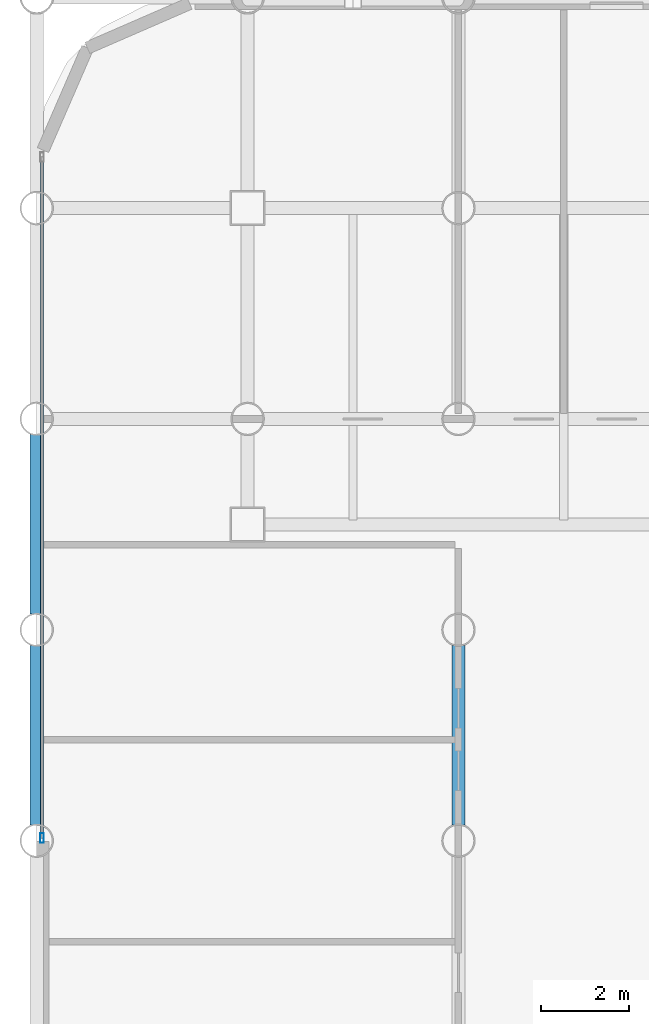
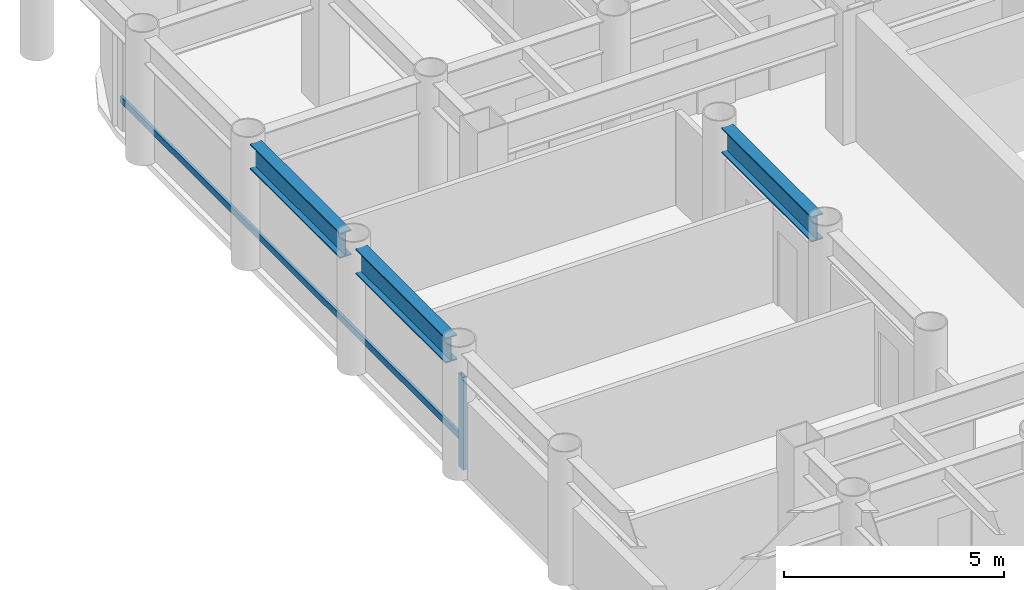
# One storey, part 4 of 19: 3 beams, 2 members, 1 element without a shape of its own.
"""IFC4 building model written with IfcOpenShell, lengths in metres."""

from ifc_helpers import new_model, si_unit, direction, frame, origin, origin_2d, place, context, subcontext, project, spatial, hollow_rectangle, i_section, extrude, material, layer, layer_set, material_profile, profile_set, type_object, element, aggregate, save


model = new_model("IFC4")

# Units and contexts
model_context = context("Model", 3, precision=1e-05, world=origin(), true_north=direction((0.0, 1.0)))
body_context = subcontext(model_context, "Body", "Model", "MODEL_VIEW")
ifc_project = project(units=[si_unit("LENGTHUNIT", "METRE"), si_unit("AREAUNIT", "SQUARE_METRE"), si_unit("VOLUMEUNIT", "CUBIC_METRE"), si_unit("PLANEANGLEUNIT", "RADIAN"), si_unit("MASSUNIT", "GRAM", prefix="KILO")], contexts=[model_context])

# Site, building, storey
site_placement = place(None, origin())
site = spatial("IfcSite", under=ifc_project, at=site_placement, CompositionType="ELEMENT")
building_placement = place(site_placement, origin())
building = spatial("IfcBuilding", under=site, at=building_placement, Name="Kallvorn Hotel Tower", CompositionType="ELEMENT")
storey_placement = place(building_placement, frame((0.0, 0.0, 67.0)))
storey = spatial("IfcBuildingStorey", under=building, at=storey_placement, Name="L15", CompositionType="ELEMENT", Elevation=67.0)

# Beams
ifc_material_1 = material(Name="Structural steel S355JR", Category="steel")
ifc_material_profile_1 = material_profile(ifc_material_1, i_section(OverallWidth=0.300048828125, OverallDepth=0.699951171875, WebThickness=0.01708984375, FlangeThickness=0.031982421875, at=origin_2d()), Name="HE 700 B")
ifc_profile_set_1 = profile_set([ifc_material_profile_1], Name="Structural steel S355JR")
beam_type = type_object("IfcBeamType", Name="BM_HE700B", PredefinedType="BEAM", material=ifc_profile_set_1)
beam_1_placement = place(storey_placement, frame((-28.800048828125, 0.35595703125, 3.169921875), z_axis=(0.0, 1.0, 0.0), x_axis=(-1.0, 0.0, 0.0)))
element("IfcBeam", 1, at=beam_1_placement, inside=storey, type_object=beam_type, Name="L16 Primary Y-Girder 77", PredefinedType="BEAM", context=body_context, shape_type="SweptSolid", body=[
    extrude(i_section(OverallWidth=0.300048828125, OverallDepth=0.699951171875, WebThickness=0.01708984375, FlangeThickness=0.031982421875, at=origin_2d()), origin(), (0.0, 0.0, 1.0), 4.088134765625),
])
beam_2_placement = place(storey_placement, frame((-28.800048828125, 5.156005859375, 3.169921875), z_axis=(0.0, 1.0, 0.0), x_axis=(-1.0, 0.0, 0.0)))
element("IfcBeam", 2, at=beam_2_placement, inside=storey, type_object=beam_type, Name="L16 Primary Y-Girder 78", PredefinedType="BEAM", context=body_context, shape_type="SweptSolid", body=[
    extrude(i_section(OverallWidth=0.300048828125, OverallDepth=0.699951171875, WebThickness=0.01708984375, FlangeThickness=0.031982421875, at=origin_2d()), origin(), (0.0, 0.0, 1.0), 4.087890625),
])
beam_3_placement = place(storey_placement, frame((-19.199951171875, 0.35595703125, 3.169921875), z_axis=(0.0, 1.0, 0.0), x_axis=(-1.0, 0.0, 0.0)))
element("IfcBeam", 3, at=beam_3_placement, inside=storey, type_object=beam_type, Name="L16 Primary Y-Girder 93", PredefinedType="BEAM", context=body_context, shape_type="SweptSolid", body=[
    extrude(i_section(OverallWidth=0.300048828125, OverallDepth=0.699951171875, WebThickness=0.01708984375, FlangeThickness=0.031982421875, at=origin_2d()), origin(), (0.0, 0.0, 1.0), 4.088134765625),
])

# Curtain wall, members
ifc_material_2 = material(Name="Thermally broken black-anodised aluminium AA 6063-T6", Category="aluminium")
ifc_layer = layer(ifc_material_2, 0.199951171875)
ifc_layer_set = layer_set([ifc_layer], Name="CW_SYS_3_HOTEL_LOW")
curtain_wall_type = type_object("IfcCurtainWallType", Name="CW_SYS_3_HOTEL_LOW", PredefinedType="USERDEFINED", material=ifc_layer_set)
curtain_wall_placement = place(storey_placement, origin())
curtain_wall = element("IfcCurtainWall", 4, at=curtain_wall_placement, inside=storey, type_object=curtain_wall_type, Name="L15 Dark-Glass Curtain Wall CW-L15-WN", ObjectType="UNITISED CURTAIN WALL", PredefinedType="USERDEFINED")
ifc_material_3 = material(Name="Thermally broken black-anodised aluminium AA 6063-T6", Category="aluminium")
ifc_material_profile_2 = material_profile(ifc_material_3, hollow_rectangle(XDim=0.080078125, YDim=0.219970703125, WallThickness=0.0048828125, at=origin_2d()), Name="MUL 220x80")
ifc_profile_set_2 = profile_set([ifc_material_profile_2], Name="Thermally broken black-anodised aluminium AA 6063-T6")
member_type_1 = type_object("IfcMemberType", Name="CW_MULLION_220x80", PredefinedType="MULLION", material=ifc_profile_set_2)
member_1_placement = place(storey_placement, frame((-28.679931640625, 0.06005859375, 0.02001953125), z_axis=(0.0, 0.0, 1.0), x_axis=(1.0, 0.0, 0.0)))
member_1 = element("IfcMember", 5, at=member_1_placement, type_object=member_type_1, Name="CW-L15-WN Mullion 00", PredefinedType="MULLION", context=body_context, shape_type="SweptSolid", body=[
    extrude(hollow_rectangle(XDim=0.080078125, YDim=0.219970703125, WallThickness=0.0048828125, at=origin_2d()), origin(), (0.0, 0.0, 1.0), 2.580078125),
])
ifc_material_4 = material(Name="Thermally broken black-anodised aluminium AA 6063-T6", Category="aluminium")
ifc_material_profile_3 = material_profile(ifc_material_4, hollow_rectangle(XDim=0.070068359375, YDim=0.179931640625, WallThickness=0.00390625, at=origin_2d()), Name="TRN 180x70")
ifc_profile_set_3 = profile_set([ifc_material_profile_3], Name="Thermally broken black-anodised aluminium AA 6063-T6")
member_type_2 = type_object("IfcMemberType", Name="CW_TRANSOM_180x70", PredefinedType="USERDEFINED", material=ifc_profile_set_3)
member_2_placement = place(storey_placement, frame((-28.679931640625, 0.06005859375, 0.85009765625), z_axis=(0.0, 1.0, 0.0), x_axis=(-1.0, 0.0, 0.0)))
member_2 = element("IfcMember", 6, at=member_2_placement, type_object=member_type_2, Name="CW-L15-WN Transom 00M", ObjectType="TRANSOM", PredefinedType="USERDEFINED", context=body_context, shape_type="SweptSolid", body=[
    extrude(hollow_rectangle(XDim=0.070068359375, YDim=0.179931640625, WallThickness=0.00390625, at=origin_2d()), origin(), (0.0, 0.0, 1.0), 15.5),
])
aggregate(curtain_wall, [member_1, member_2])

save(model, "model.ifc")
